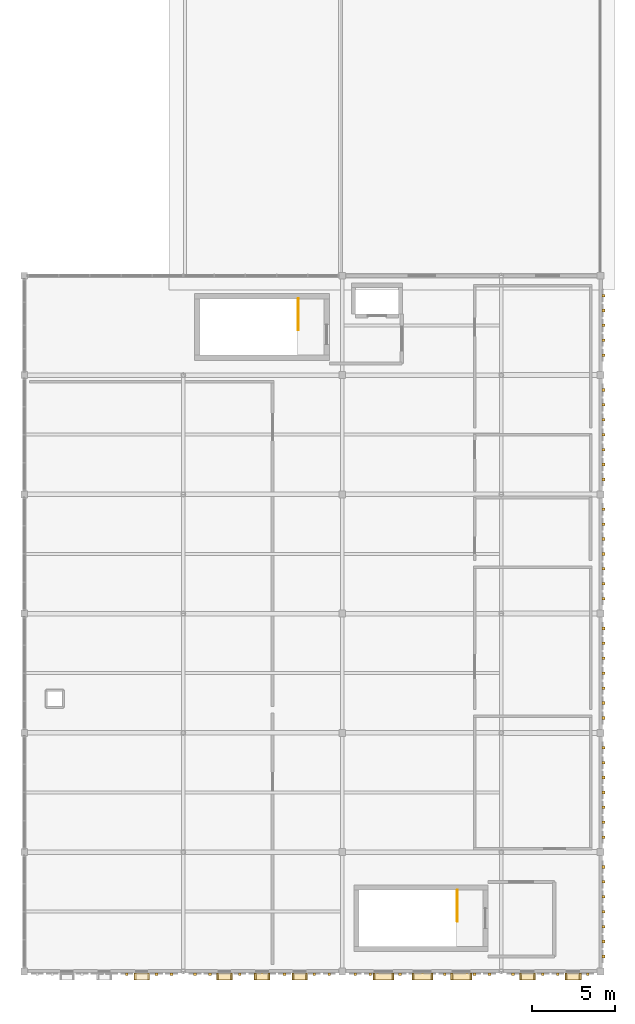
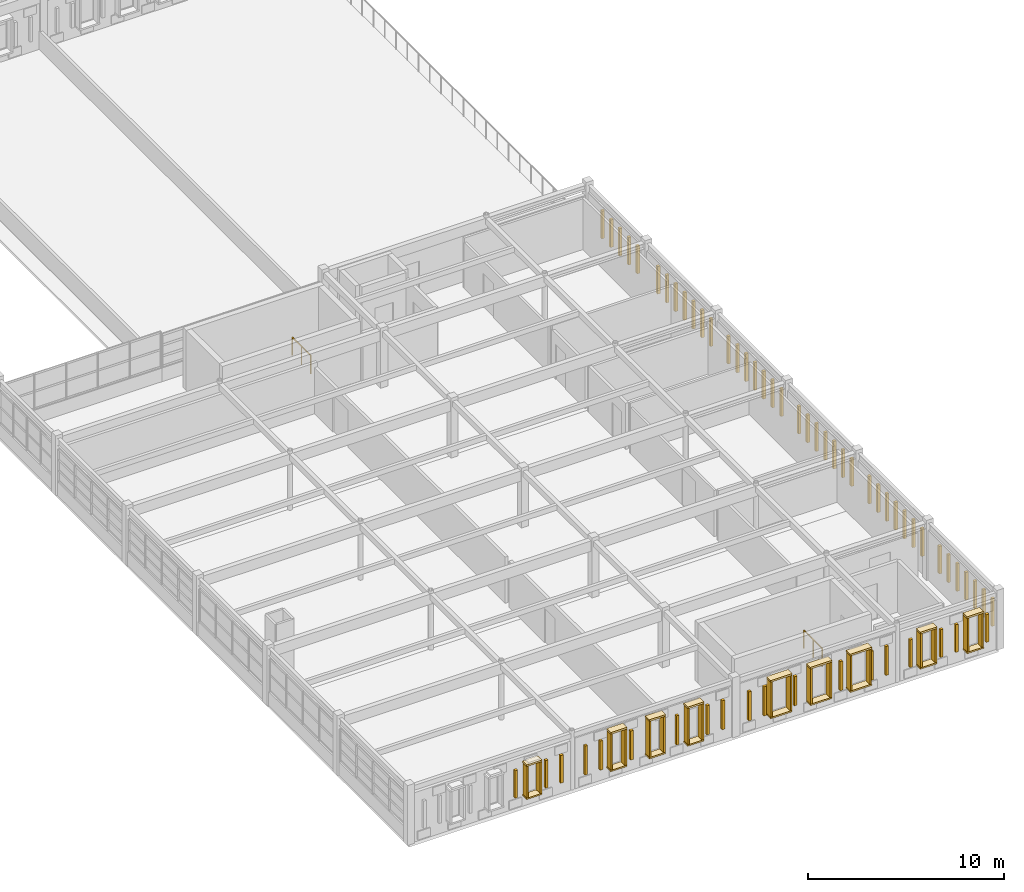
# One storey, part 21 of 25: 95 coverings, 2 railings.
"""IFC4 building model written with IfcOpenShell, lengths in metres."""

from ifc_helpers import new_model, si_unit, direction, frame, origin, origin_2d, place, context, subcontext, project, spatial, rectangle, circle, extrude, material, layer, layer_set, type_object, element, save


model = new_model("IFC4")

# Units and contexts
model_context = context("Model", 3, precision=1e-05, world=origin(), true_north=direction((0.0, 1.0)))
body_context = subcontext(model_context, "Body", "Model", "MODEL_VIEW")
ifc_project = project(units=[si_unit("LENGTHUNIT", "METRE"), si_unit("AREAUNIT", "SQUARE_METRE"), si_unit("VOLUMEUNIT", "CUBIC_METRE"), si_unit("PLANEANGLEUNIT", "RADIAN"), si_unit("MASSUNIT", "GRAM", prefix="KILO")], contexts=[model_context])

# Site, building, storey
site_placement = place(None, origin())
site = spatial("IfcSite", under=ifc_project, at=site_placement, CompositionType="ELEMENT")
building_placement = place(site_placement, origin())
building = spatial("IfcBuilding", under=site, at=building_placement, Name="Nzembalo Square Collegiate School", CompositionType="ELEMENT")
storey_placement = place(building_placement, frame((0.0, 0.0, 21.080078125)))
storey = spatial("IfcBuildingStorey", under=building, at=storey_placement, Name="L05", CompositionType="ELEMENT", Elevation=21.080078125)

# Coverings
ifc_material_1 = material(Name="Glazed ochre ceramic lancet rib")
ifc_layer_1 = layer(ifc_material_1, 0.159912109375, Name="Glazed ochre ceramic lancet rib")
ifc_layer_set_1 = layer_set([ifc_layer_1], Name="Glazed ochre ceramic lancet rib")
covering_type_1 = type_object("IfcCoveringType", Name="CL02", PredefinedType="CLADDING", material=ifc_layer_set_1)
for number, where, z_axis, x_axis, name in (
    (1, (165.777587890625, 9.300048828125, 0.759765625), (0.0, 0.0, 1.0), (1.0, 0.0, 0.0), "Gothic ceramic rib CL02-Y0285-0"),
    (2, (165.777587890625, 10.199951171875, 0.759765625), (0.0, 0.0, 1.0), (1.0, 0.0, 0.0), "Gothic ceramic rib CL02-Y0285-1"),
    (3, (165.777587890625, 11.10009765625, 0.759765625), (0.0, 0.0, 1.0), (1.0, 0.0, 0.0), "Gothic ceramic rib CL02-Y0285-2"),
    (4, (165.777587890625, 12.0, 0.759765625), (0.0, 0.0, 1.0), (1.0, 0.0, 0.0), "Gothic ceramic rib CL02-Y0285-3"),
    (5, (165.777587890625, 12.89990234375, 0.759765625), (0.0, 0.0, 1.0), (1.0, 0.0, 0.0), "Gothic ceramic rib CL02-Y0285-4"),
    (6, (165.777587890625, 13.800048828125, 0.759765625), (0.0, 0.0, 1.0), (1.0, 0.0, 0.0), "Gothic ceramic rib CL02-Y0285-5"),
    (7, (165.777587890625, 14.699951171875, 0.759765625), (0.0, 0.0, 1.0), (1.0, 0.0, 0.0), "Gothic ceramic rib CL02-Y0285-6"),
    (8, (165.777587890625, 16.5, 0.759765625), (0.0, 0.0, 1.0), (1.0, 0.0, 0.0), "Gothic ceramic rib CL02-Y0286-0"),
    (9, (165.777587890625, 17.39990234375, 0.759765625), (0.0, 0.0, 1.0), (1.0, 0.0, 0.0), "Gothic ceramic rib CL02-Y0286-1"),
    (10, (165.777587890625, 18.300048828125, 0.759765625), (0.0, 0.0, 1.0), (1.0, 0.0, 0.0), "Gothic ceramic rib CL02-Y0286-2"),
    (11, (165.777587890625, 19.199951171875, 0.759765625), (0.0, 0.0, 1.0), (1.0, 0.0, 0.0), "Gothic ceramic rib CL02-Y0286-3"),
    (12, (165.777587890625, 20.10009765625, 0.759765625), (0.0, 0.0, 1.0), (1.0, 0.0, 0.0), "Gothic ceramic rib CL02-Y0286-4"),
    (13, (165.777587890625, 21.0, 0.759765625), (0.0, 0.0, 1.0), (1.0, 0.0, 0.0), "Gothic ceramic rib CL02-Y0286-5"),
    (14, (165.777587890625, 21.89990234375, 0.759765625), (0.0, 0.0, 1.0), (1.0, 0.0, 0.0), "Gothic ceramic rib CL02-Y0286-6"),
    (15, (165.777587890625, 23.699951171875, 0.759765625), (0.0, 0.0, 1.0), (1.0, 0.0, 0.0), "Gothic ceramic rib CL02-Y0287-0"),
    (16, (165.777587890625, 24.60009765625, 0.759765625), (0.0, 0.0, 1.0), (1.0, 0.0, 0.0), "Gothic ceramic rib CL02-Y0287-1"),
    (17, (165.777587890625, 25.5, 0.759765625), (0.0, 0.0, 1.0), (1.0, 0.0, 0.0), "Gothic ceramic rib CL02-Y0287-2"),
    (18, (165.777587890625, 26.39990234375, 0.759765625), (0.0, 0.0, 1.0), (1.0, 0.0, 0.0), "Gothic ceramic rib CL02-Y0287-3"),
    (19, (165.777587890625, 27.300048828125, 0.759765625), (0.0, 0.0, 1.0), (1.0, 0.0, 0.0), "Gothic ceramic rib CL02-Y0287-4"),
    (20, (165.777587890625, 28.199951171875, 0.759765625), (0.0, 0.0, 1.0), (1.0, 0.0, 0.0), "Gothic ceramic rib CL02-Y0287-5"),
    (21, (165.777587890625, 29.10009765625, 0.759765625), (0.0, 0.0, 1.0), (1.0, 0.0, 0.0), "Gothic ceramic rib CL02-Y0287-6"),
    (22, (165.777587890625, 30.89990234375, 0.759765625), (0.0, 0.0, 1.0), (1.0, 0.0, 0.0), "Gothic ceramic rib CL02-Y0288-0"),
    (23, (165.777587890625, 31.800048828125, 0.759765625), (0.0, 0.0, 1.0), (1.0, 0.0, 0.0), "Gothic ceramic rib CL02-Y0288-1"),
    (24, (165.777587890625, 32.699951171875, 0.759765625), (0.0, 0.0, 1.0), (1.0, 0.0, 0.0), "Gothic ceramic rib CL02-Y0288-2"),
    (25, (165.777587890625, 33.60009765625, 0.759765625), (0.0, 0.0, 1.0), (1.0, 0.0, 0.0), "Gothic ceramic rib CL02-Y0288-3"),
    (26, (165.777587890625, 34.5, 0.759765625), (0.0, 0.0, 1.0), (1.0, 0.0, 0.0), "Gothic ceramic rib CL02-Y0288-4"),
    (27, (165.777587890625, 35.39990234375, 0.759765625), (0.0, 0.0, 1.0), (1.0, 0.0, 0.0), "Gothic ceramic rib CL02-Y0288-5"),
    (28, (165.777587890625, 36.300048828125, 0.759765625), (0.0, 0.0, 1.0), (1.0, 0.0, 0.0), "Gothic ceramic rib CL02-Y0288-6"),
    (29, (165.777587890625, 38.10009765625, 0.759765625), (0.0, 0.0, 1.0), (1.0, 0.0, 0.0), "Gothic ceramic rib CL02-Y0289-0"),
    (30, (165.777587890625, 39.0, 0.759765625), (0.0, 0.0, 1.0), (1.0, 0.0, 0.0), "Gothic ceramic rib CL02-Y0289-1"),
    (31, (165.777587890625, 39.89990234375, 0.759765625), (0.0, 0.0, 1.0), (1.0, 0.0, 0.0), "Gothic ceramic rib CL02-Y0289-2"),
    (32, (165.777587890625, 40.800048828125, 0.759765625), (0.0, 0.0, 1.0), (1.0, 0.0, 0.0), "Gothic ceramic rib CL02-Y0289-3"),
    (33, (165.777587890625, 41.699951171875, 0.759765625), (0.0, 0.0, 1.0), (1.0, 0.0, 0.0), "Gothic ceramic rib CL02-Y0289-4"),
    (34, (165.777587890625, 42.60009765625, 0.759765625), (0.0, 0.0, 1.0), (1.0, 0.0, 0.0), "Gothic ceramic rib CL02-Y0289-5"),
    (35, (165.777587890625, 43.5, 0.759765625), (0.0, 0.0, 1.0), (1.0, 0.0, 0.0), "Gothic ceramic rib CL02-Y0289-6"),
    (36, (165.777587890625, 45.60009765625, 0.759765625), (0.0, 0.0, 1.0), (1.0, 0.0, 0.0), "Gothic ceramic rib CL02-Y0290-0"),
    (37, (165.777587890625, 46.5, 0.759765625), (0.0, 0.0, 1.0), (1.0, 0.0, 0.0), "Gothic ceramic rib CL02-Y0290-1"),
    (38, (165.777587890625, 47.39990234375, 0.759765625), (0.0, 0.0, 1.0), (1.0, 0.0, 0.0), "Gothic ceramic rib CL02-Y0290-2"),
    (39, (165.777587890625, 48.300048828125, 0.759765625), (0.0, 0.0, 1.0), (1.0, 0.0, 0.0), "Gothic ceramic rib CL02-Y0290-3"),
    (40, (165.777587890625, 49.199951171875, 0.759765625), (0.0, 0.0, 1.0), (1.0, 0.0, 0.0), "Gothic ceramic rib CL02-Y0290-4"),
    (41, (136.98681640625, 8.222412109375, 0.759765625), (0.0, 0.0, 1.0), (1.0, 0.0, 0.0), "Gothic ceramic rib CL02-X0291-6"),
    (42, (138.78662109375, 8.222412109375, 0.759765625), (0.0, 0.0, 1.0), (1.0, 0.0, 0.0), "Gothic ceramic rib CL02-X0291-8"),
    (43, (139.686767578125, 8.222412109375, 0.759765625), (0.0, 0.0, 1.0), (1.0, 0.0, 0.0), "Gothic ceramic rib CL02-X0291-9"),
):
    element("IfcCovering", number, at=place(storey_placement, frame(where, z_axis=z_axis, x_axis=x_axis)), inside=storey, type_object=covering_type_1, Name=name, PredefinedType="CLADDING", context=body_context, shape_type="SweptSolid", body=[
        extrude(rectangle(XDim=0.159912109375, YDim=0.159912109375, at=origin_2d()), origin(), (0.0, 0.0, 1.0), 1.72412109375),
    ])
for number, where, z_axis, x_axis, name in (
    (44, (141.11328125, 8.222412109375, 0.760009765625), (0.0, 0.0, 1.0), (1.0, 0.0, 0.0), "Gothic ceramic rib CL02-X0292-0"),
    (45, (142.01318359375, 8.222412109375, 0.760009765625), (0.0, 0.0, 1.0), (1.0, 0.0, 0.0), "Gothic ceramic rib CL02-X0292-1"),
    (46, (143.813232421875, 8.222412109375, 0.760009765625), (0.0, 0.0, 1.0), (1.0, 0.0, 0.0), "Gothic ceramic rib CL02-X0292-3"),
    (47, (146.51318359375, 8.222412109375, 0.760009765625), (0.0, 0.0, 1.0), (1.0, 0.0, 0.0), "Gothic ceramic rib CL02-X0292-6"),
    (48, (148.313232421875, 8.222412109375, 0.760009765625), (0.0, 0.0, 1.0), (1.0, 0.0, 0.0), "Gothic ceramic rib CL02-X0292-8"),
    (49, (149.213134765625, 8.222412109375, 0.760009765625), (0.0, 0.0, 1.0), (1.0, 0.0, 0.0), "Gothic ceramic rib CL02-X0292-9"),
    (50, (150.78662109375, 8.222412109375, 0.760009765625), (0.0, 0.0, 1.0), (1.0, 0.0, 0.0), "Gothic ceramic rib CL02-X0293-0"),
    (51, (151.686767578125, 8.222412109375, 0.760009765625), (0.0, 0.0, 1.0), (1.0, 0.0, 0.0), "Gothic ceramic rib CL02-X0293-1"),
    (52, (153.48681640625, 8.222412109375, 0.760009765625), (0.0, 0.0, 1.0), (1.0, 0.0, 0.0), "Gothic ceramic rib CL02-X0293-3"),
    (53, (156.186767578125, 8.222412109375, 0.760009765625), (0.0, 0.0, 1.0), (1.0, 0.0, 0.0), "Gothic ceramic rib CL02-X0293-6"),
    (54, (157.98681640625, 8.222412109375, 0.760009765625), (0.0, 0.0, 1.0), (1.0, 0.0, 0.0), "Gothic ceramic rib CL02-X0293-8"),
    (55, (158.88671875, 8.222412109375, 0.760009765625), (0.0, 0.0, 1.0), (1.0, 0.0, 0.0), "Gothic ceramic rib CL02-X0293-9"),
):
    element("IfcCovering", number, at=place(storey_placement, frame(where, z_axis=z_axis, x_axis=x_axis)), inside=storey, type_object=covering_type_1, Name=name, PredefinedType="CLADDING", context=body_context, shape_type="SweptSolid", body=[
        extrude(rectangle(XDim=0.159912109375, YDim=0.159912109375, at=origin_2d()), origin(), (0.0, 0.0, 1.0), 1.81396484375),
    ])
for number, where, z_axis, x_axis, name in (
    (56, (160.313232421875, 8.222412109375, 0.759765625), (0.0, 0.0, 1.0), (1.0, 0.0, 0.0), "Gothic ceramic rib CL02-X0294-0"),
    (57, (162.11328125, 8.222412109375, 0.759765625), (0.0, 0.0, 1.0), (1.0, 0.0, 0.0), "Gothic ceramic rib CL02-X0294-2"),
    (58, (163.01318359375, 8.222412109375, 0.759765625), (0.0, 0.0, 1.0), (1.0, 0.0, 0.0), "Gothic ceramic rib CL02-X0294-3"),
    (59, (164.813232421875, 8.222412109375, 0.759765625), (0.0, 0.0, 1.0), (1.0, 0.0, 0.0), "Gothic ceramic rib CL02-X0294-5"),
):
    element("IfcCovering", number, at=place(storey_placement, frame(where, z_axis=z_axis, x_axis=x_axis)), inside=storey, type_object=covering_type_1, Name=name, PredefinedType="CLADDING", context=body_context, shape_type="SweptSolid", body=[
        extrude(rectangle(XDim=0.159912109375, YDim=0.159912109375, at=origin_2d()), origin(), (0.0, 0.0, 1.0), 1.72412109375),
    ])
ifc_material_2 = material(Name="Glazed celadon ceramic window frame")
ifc_layer_2 = layer(ifc_material_2, 0.419921875, Name="Glazed celadon ceramic window frame")
ifc_layer_set_2 = layer_set([ifc_layer_2], Name="Glazed celadon ceramic window frame")
covering_type_2 = type_object("IfcCoveringType", Name="WF01", PredefinedType="CLADDING", material=ifc_layer_set_2)
covering_1_placement = place(storey_placement, frame((137.899169921875, 8.08740234375, 2.71484375), z_axis=(0.0, 0.0, 1.0), x_axis=(1.0, 0.0, 0.0)))
element("IfcCovering", 60, at=covering_1_placement, inside=storey, type_object=covering_type_2, Name="Deep lancet window hood WF01-1097", PredefinedType="CLADDING", context=body_context, shape_type="SweptSolid", body=[
    extrude(rectangle(XDim=0.919921875, YDim=0.419921875, at=origin_2d()), origin(), (0.0, 0.0, 1.0), 0.110107421875),
])
covering_2_placement = place(storey_placement, frame((137.899169921875, 8.08740234375, 0.65478515625), z_axis=(0.0, 0.0, 1.0), x_axis=(1.0, 0.0, 0.0)))
element("IfcCovering", 61, at=covering_2_placement, inside=storey, type_object=covering_type_2, Name="Deep lancet window sill WF01-1097", PredefinedType="CLADDING", context=body_context, shape_type="SweptSolid", body=[
    extrude(rectangle(XDim=0.919921875, YDim=0.419921875, at=origin_2d()), origin(), (0.0, 0.0, 1.0), 0.090087890625),
])
for number, where, z_axis, x_axis, name in (
    (62, (137.504150390625, 8.08740234375, 0.75), (0.0, 0.0, 1.0), (1.0, 0.0, 0.0), "Deep lancet window jamb WF01-1097L"),
    (63, (138.294189453125, 8.08740234375, 0.75), (0.0, 0.0, 1.0), (1.0, 0.0, 0.0), "Deep lancet window jamb WF01-1097R"),
):
    element("IfcCovering", number, at=place(storey_placement, frame(where, z_axis=z_axis, x_axis=x_axis)), inside=storey, type_object=covering_type_2, Name=name, PredefinedType="CLADDING", context=body_context, shape_type="SweptSolid", body=[
        extrude(rectangle(XDim=0.10009765625, YDim=0.419921875, at=origin_2d()), origin(), (0.0, 0.0, 1.0), 1.9599609375),
    ])
covering_3_placement = place(storey_placement, frame((142.890869140625, 8.08740234375, 2.99462890625), z_axis=(0.0, 0.0, 1.0), x_axis=(1.0, 0.0, 0.0)))
element("IfcCovering", 64, at=covering_3_placement, inside=storey, type_object=covering_type_2, Name="Deep lancet window hood WF01-1102", PredefinedType="CLADDING", context=body_context, shape_type="SweptSolid", body=[
    extrude(rectangle(XDim=0.9599609375, YDim=0.419921875, at=origin_2d()), origin(), (0.0, 0.0, 1.0), 0.110107421875),
])
covering_4_placement = place(storey_placement, frame((142.890869140625, 8.08740234375, 0.65478515625), z_axis=(0.0, 0.0, 1.0), x_axis=(1.0, 0.0, 0.0)))
element("IfcCovering", 65, at=covering_4_placement, inside=storey, type_object=covering_type_2, Name="Deep lancet window sill WF01-1102", PredefinedType="CLADDING", context=body_context, shape_type="SweptSolid", body=[
    extrude(rectangle(XDim=0.9599609375, YDim=0.419921875, at=origin_2d()), origin(), (0.0, 0.0, 1.0), 0.090087890625),
])
for number, where, z_axis, x_axis, name in (
    (66, (142.475830078125, 8.08740234375, 0.75), (0.0, 0.0, 1.0), (1.0, 0.0, 0.0), "Deep lancet window jamb WF01-1102L"),
    (67, (143.305908203125, 8.08740234375, 0.75), (0.0, 0.0, 1.0), (1.0, 0.0, 0.0), "Deep lancet window jamb WF01-1102R"),
):
    element("IfcCovering", number, at=place(storey_placement, frame(where, z_axis=z_axis, x_axis=x_axis)), inside=storey, type_object=covering_type_2, Name=name, PredefinedType="CLADDING", context=body_context, shape_type="SweptSolid", body=[
        extrude(rectangle(XDim=0.10009765625, YDim=0.419921875, at=origin_2d()), origin(), (0.0, 0.0, 1.0), 2.239990234375),
    ])
covering_5_placement = place(storey_placement, frame((145.1630859375, 8.08740234375, 2.99462890625), z_axis=(0.0, 0.0, 1.0), x_axis=(1.0, 0.0, 0.0)))
element("IfcCovering", 68, at=covering_5_placement, inside=storey, type_object=covering_type_2, Name="Deep lancet window hood WF01-1103", PredefinedType="CLADDING", context=body_context, shape_type="SweptSolid", body=[
    extrude(rectangle(XDim=0.9599609375, YDim=0.419921875, at=origin_2d()), origin(), (0.0, 0.0, 1.0), 0.110107421875),
])
covering_6_placement = place(storey_placement, frame((145.1630859375, 8.08740234375, 0.65478515625), z_axis=(0.0, 0.0, 1.0), x_axis=(1.0, 0.0, 0.0)))
element("IfcCovering", 69, at=covering_6_placement, inside=storey, type_object=covering_type_2, Name="Deep lancet window sill WF01-1103", PredefinedType="CLADDING", context=body_context, shape_type="SweptSolid", body=[
    extrude(rectangle(XDim=0.9599609375, YDim=0.419921875, at=origin_2d()), origin(), (0.0, 0.0, 1.0), 0.090087890625),
])
for number, where, z_axis, x_axis, name in (
    (70, (144.748291015625, 8.08740234375, 0.75), (0.0, 0.0, 1.0), (1.0, 0.0, 0.0), "Deep lancet window jamb WF01-1103L"),
    (71, (145.578125, 8.08740234375, 0.75), (0.0, 0.0, 1.0), (1.0, 0.0, 0.0), "Deep lancet window jamb WF01-1103R"),
):
    element("IfcCovering", number, at=place(storey_placement, frame(where, z_axis=z_axis, x_axis=x_axis)), inside=storey, type_object=covering_type_2, Name=name, PredefinedType="CLADDING", context=body_context, shape_type="SweptSolid", body=[
        extrude(rectangle(XDim=0.10009765625, YDim=0.419921875, at=origin_2d()), origin(), (0.0, 0.0, 1.0), 2.239990234375),
    ])
covering_7_placement = place(storey_placement, frame((147.435546875, 8.08740234375, 2.99462890625), z_axis=(0.0, 0.0, 1.0), x_axis=(1.0, 0.0, 0.0)))
element("IfcCovering", 72, at=covering_7_placement, inside=storey, type_object=covering_type_2, Name="Deep lancet window hood WF01-1104", PredefinedType="CLADDING", context=body_context, shape_type="SweptSolid", body=[
    extrude(rectangle(XDim=0.9599609375, YDim=0.419921875, at=origin_2d()), origin(), (0.0, 0.0, 1.0), 0.110107421875),
])
covering_8_placement = place(storey_placement, frame((147.435546875, 8.08740234375, 0.65478515625), z_axis=(0.0, 0.0, 1.0), x_axis=(1.0, 0.0, 0.0)))
element("IfcCovering", 73, at=covering_8_placement, inside=storey, type_object=covering_type_2, Name="Deep lancet window sill WF01-1104", PredefinedType="CLADDING", context=body_context, shape_type="SweptSolid", body=[
    extrude(rectangle(XDim=0.9599609375, YDim=0.419921875, at=origin_2d()), origin(), (0.0, 0.0, 1.0), 0.090087890625),
])
for number, where, z_axis, x_axis, name in (
    (74, (147.0205078125, 8.08740234375, 0.75), (0.0, 0.0, 1.0), (1.0, 0.0, 0.0), "Deep lancet window jamb WF01-1104L"),
    (75, (147.8505859375, 8.08740234375, 0.75), (0.0, 0.0, 1.0), (1.0, 0.0, 0.0), "Deep lancet window jamb WF01-1104R"),
):
    element("IfcCovering", number, at=place(storey_placement, frame(where, z_axis=z_axis, x_axis=x_axis)), inside=storey, type_object=covering_type_2, Name=name, PredefinedType="CLADDING", context=body_context, shape_type="SweptSolid", body=[
        extrude(rectangle(XDim=0.10009765625, YDim=0.419921875, at=origin_2d()), origin(), (0.0, 0.0, 1.0), 2.239990234375),
    ])
covering_9_placement = place(storey_placement, frame((152.484375, 8.08740234375, 2.93505859375), z_axis=(0.0, 0.0, 1.0), x_axis=(1.0, 0.0, 0.0)))
element("IfcCovering", 76, at=covering_9_placement, inside=storey, type_object=covering_type_2, Name="Deep lancet window hood WF01-1105", PredefinedType="CLADDING", context=body_context, shape_type="SweptSolid", body=[
    extrude(rectangle(XDim=1.280029296875, YDim=0.419921875, at=origin_2d()), origin(), (0.0, 0.0, 1.0), 0.110107421875),
])
covering_10_placement = place(storey_placement, frame((152.484375, 8.08740234375, 0.65478515625), z_axis=(0.0, 0.0, 1.0), x_axis=(1.0, 0.0, 0.0)))
element("IfcCovering", 77, at=covering_10_placement, inside=storey, type_object=covering_type_2, Name="Deep lancet window sill WF01-1105", PredefinedType="CLADDING", context=body_context, shape_type="SweptSolid", body=[
    extrude(rectangle(XDim=1.280029296875, YDim=0.419921875, at=origin_2d()), origin(), (0.0, 0.0, 1.0), 0.090087890625),
])
for number, where, z_axis, x_axis, name in (
    (78, (151.909423828125, 8.08740234375, 0.75), (0.0, 0.0, 1.0), (1.0, 0.0, 0.0), "Deep lancet window jamb WF01-1105L"),
    (79, (153.059326171875, 8.08740234375, 0.75), (0.0, 0.0, 1.0), (1.0, 0.0, 0.0), "Deep lancet window jamb WF01-1105R"),
):
    element("IfcCovering", number, at=place(storey_placement, frame(where, z_axis=z_axis, x_axis=x_axis)), inside=storey, type_object=covering_type_2, Name=name, PredefinedType="CLADDING", context=body_context, shape_type="SweptSolid", body=[
        extrude(rectangle(XDim=0.10009765625, YDim=0.419921875, at=origin_2d()), origin(), (0.0, 0.0, 1.0), 2.179931640625),
    ])
covering_11_placement = place(storey_placement, frame((154.836669921875, 8.08740234375, 2.93505859375), z_axis=(0.0, 0.0, 1.0), x_axis=(1.0, 0.0, 0.0)))
element("IfcCovering", 80, at=covering_11_placement, inside=storey, type_object=covering_type_2, Name="Deep lancet window hood WF01-1106", PredefinedType="CLADDING", context=body_context, shape_type="SweptSolid", body=[
    extrude(rectangle(XDim=1.280029296875, YDim=0.419921875, at=origin_2d()), origin(), (0.0, 0.0, 1.0), 0.110107421875),
])
covering_12_placement = place(storey_placement, frame((154.836669921875, 8.08740234375, 0.65478515625), z_axis=(0.0, 0.0, 1.0), x_axis=(1.0, 0.0, 0.0)))
element("IfcCovering", 81, at=covering_12_placement, inside=storey, type_object=covering_type_2, Name="Deep lancet window sill WF01-1106", PredefinedType="CLADDING", context=body_context, shape_type="SweptSolid", body=[
    extrude(rectangle(XDim=1.280029296875, YDim=0.419921875, at=origin_2d()), origin(), (0.0, 0.0, 1.0), 0.090087890625),
])
for number, where, z_axis, x_axis, name in (
    (82, (154.26171875, 8.08740234375, 0.75), (0.0, 0.0, 1.0), (1.0, 0.0, 0.0), "Deep lancet window jamb WF01-1106L"),
    (83, (155.41162109375, 8.08740234375, 0.75), (0.0, 0.0, 1.0), (1.0, 0.0, 0.0), "Deep lancet window jamb WF01-1106R"),
):
    element("IfcCovering", number, at=place(storey_placement, frame(where, z_axis=z_axis, x_axis=x_axis)), inside=storey, type_object=covering_type_2, Name=name, PredefinedType="CLADDING", context=body_context, shape_type="SweptSolid", body=[
        extrude(rectangle(XDim=0.10009765625, YDim=0.419921875, at=origin_2d()), origin(), (0.0, 0.0, 1.0), 2.179931640625),
    ])
covering_13_placement = place(storey_placement, frame((157.189208984375, 8.08740234375, 2.93505859375), z_axis=(0.0, 0.0, 1.0), x_axis=(1.0, 0.0, 0.0)))
element("IfcCovering", 84, at=covering_13_placement, inside=storey, type_object=covering_type_2, Name="Deep lancet window hood WF01-1107", PredefinedType="CLADDING", context=body_context, shape_type="SweptSolid", body=[
    extrude(rectangle(XDim=1.280029296875, YDim=0.419921875, at=origin_2d()), origin(), (0.0, 0.0, 1.0), 0.110107421875),
])
covering_14_placement = place(storey_placement, frame((157.189208984375, 8.08740234375, 0.65478515625), z_axis=(0.0, 0.0, 1.0), x_axis=(1.0, 0.0, 0.0)))
element("IfcCovering", 85, at=covering_14_placement, inside=storey, type_object=covering_type_2, Name="Deep lancet window sill WF01-1107", PredefinedType="CLADDING", context=body_context, shape_type="SweptSolid", body=[
    extrude(rectangle(XDim=1.280029296875, YDim=0.419921875, at=origin_2d()), origin(), (0.0, 0.0, 1.0), 0.090087890625),
])
for number, where, z_axis, x_axis, name in (
    (86, (156.614013671875, 8.08740234375, 0.75), (0.0, 0.0, 1.0), (1.0, 0.0, 0.0), "Deep lancet window jamb WF01-1107L"),
    (87, (157.76416015625, 8.08740234375, 0.75), (0.0, 0.0, 1.0), (1.0, 0.0, 0.0), "Deep lancet window jamb WF01-1107R"),
):
    element("IfcCovering", number, at=place(storey_placement, frame(where, z_axis=z_axis, x_axis=x_axis)), inside=storey, type_object=covering_type_2, Name=name, PredefinedType="CLADDING", context=body_context, shape_type="SweptSolid", body=[
        extrude(rectangle(XDim=0.10009765625, YDim=0.419921875, at=origin_2d()), origin(), (0.0, 0.0, 1.0), 2.179931640625),
    ])
covering_15_placement = place(storey_placement, frame((161.183349609375, 8.08740234375, 2.85498046875), z_axis=(0.0, 0.0, 1.0), x_axis=(1.0, 0.0, 0.0)))
element("IfcCovering", 88, at=covering_15_placement, inside=storey, type_object=covering_type_2, Name="Deep lancet window hood WF01-1111", PredefinedType="CLADDING", context=body_context, shape_type="SweptSolid", body=[
    extrude(rectangle(XDim=0.989990234375, YDim=0.419921875, at=origin_2d()), origin(), (0.0, 0.0, 1.0), 0.110107421875),
])
covering_16_placement = place(storey_placement, frame((161.183349609375, 8.08740234375, 0.65478515625), z_axis=(0.0, 0.0, 1.0), x_axis=(1.0, 0.0, 0.0)))
element("IfcCovering", 89, at=covering_16_placement, inside=storey, type_object=covering_type_2, Name="Deep lancet window sill WF01-1111", PredefinedType="CLADDING", context=body_context, shape_type="SweptSolid", body=[
    extrude(rectangle(XDim=0.989990234375, YDim=0.419921875, at=origin_2d()), origin(), (0.0, 0.0, 1.0), 0.090087890625),
])
for number, where, z_axis, x_axis, name in (
    (90, (160.75341796875, 8.08740234375, 0.749755859375), (0.0, 0.0, 1.0), (1.0, 0.0, 0.0), "Deep lancet window jamb WF01-1111L"),
    (91, (161.61328125, 8.08740234375, 0.749755859375), (0.0, 0.0, 1.0), (1.0, 0.0, 0.0), "Deep lancet window jamb WF01-1111R"),
):
    element("IfcCovering", number, at=place(storey_placement, frame(where, z_axis=z_axis, x_axis=x_axis)), inside=storey, type_object=covering_type_2, Name=name, PredefinedType="CLADDING", context=body_context, shape_type="SweptSolid", body=[
        extrude(rectangle(XDim=0.10009765625, YDim=0.419921875, at=origin_2d()), origin(), (0.0, 0.0, 1.0), 2.10009765625),
    ])
covering_17_placement = place(storey_placement, frame((163.943115234375, 8.08740234375, 2.85498046875), z_axis=(0.0, 0.0, 1.0), x_axis=(1.0, 0.0, 0.0)))
element("IfcCovering", 92, at=covering_17_placement, inside=storey, type_object=covering_type_2, Name="Deep lancet window hood WF01-1112", PredefinedType="CLADDING", context=body_context, shape_type="SweptSolid", body=[
    extrude(rectangle(XDim=0.989990234375, YDim=0.419921875, at=origin_2d()), origin(), (0.0, 0.0, 1.0), 0.110107421875),
])
covering_18_placement = place(storey_placement, frame((163.943115234375, 8.08740234375, 0.65478515625), z_axis=(0.0, 0.0, 1.0), x_axis=(1.0, 0.0, 0.0)))
element("IfcCovering", 93, at=covering_18_placement, inside=storey, type_object=covering_type_2, Name="Deep lancet window sill WF01-1112", PredefinedType="CLADDING", context=body_context, shape_type="SweptSolid", body=[
    extrude(rectangle(XDim=0.989990234375, YDim=0.419921875, at=origin_2d()), origin(), (0.0, 0.0, 1.0), 0.090087890625),
])
for number, where, z_axis, x_axis, name in (
    (94, (163.51318359375, 8.08740234375, 0.749755859375), (0.0, 0.0, 1.0), (1.0, 0.0, 0.0), "Deep lancet window jamb WF01-1112L"),
    (95, (164.373046875, 8.08740234375, 0.749755859375), (0.0, 0.0, 1.0), (1.0, 0.0, 0.0), "Deep lancet window jamb WF01-1112R"),
):
    element("IfcCovering", number, at=place(storey_placement, frame(where, z_axis=z_axis, x_axis=x_axis)), inside=storey, type_object=covering_type_2, Name=name, PredefinedType="CLADDING", context=body_context, shape_type="SweptSolid", body=[
        extrude(rectangle(XDim=0.10009765625, YDim=0.419921875, at=origin_2d()), origin(), (0.0, 0.0, 1.0), 2.10009765625),
    ])

# Railings
ifc_material_3 = material(Name="Steel S355", Category="steel")
railing_type = type_object("IfcRailingType", Name="GR01", PredefinedType="GUARDRAIL", material=ifc_material_3)
railing_1_placement = place(storey_placement, frame((147.35009765625, 47.1201171875, -0.005126953125)))
element("IfcRailing", 96, at=railing_1_placement, inside=storey, type_object=railing_type, Name="Top stairwell guard GR-C5-T1", PredefinedType="GUARDRAIL", context=body_context, shape_type="SweptSolid", body=[
    extrude(circle(Radius=0.02392578125, at=origin_2d()), frame((0.0, 0.0, 1.1259765625), z_axis=(0.0, 1.0, 0.0), x_axis=(-1.0, 0.0, 0.0)), (0.0, 0.0, 1.0), 1.889892578125),
    extrude(circle(Radius=0.02099609375, at=origin_2d()), origin(), (0.0, 0.0, 1.0), 1.101806640625),
    extrude(circle(Radius=0.02099609375, at=origin_2d()), frame((0.0, 0.94482421875, 0.0)), (0.0, 0.0, 1.0), 1.101806640625),
    extrude(circle(Radius=0.02099609375, at=origin_2d()), frame((0.0, 1.889892578125, 0.0)), (0.0, 0.0, 1.0), 1.101806640625),
])
railing_2_placement = place(storey_placement, frame((156.949951171875, 11.419921875, -0.005126953125)))
element("IfcRailing", 97, at=railing_2_placement, inside=storey, type_object=railing_type, Name="Top stairwell guard GR-C6-T1", PredefinedType="GUARDRAIL", context=body_context, shape_type="SweptSolid", body=[
    extrude(circle(Radius=0.02392578125, at=origin_2d()), frame((0.0, 0.0, 1.1259765625), z_axis=(0.0, 1.0, 0.0), x_axis=(-1.0, 0.0, 0.0)), (0.0, 0.0, 1.0), 1.89013671875),
    extrude(circle(Radius=0.02099609375, at=origin_2d()), origin(), (0.0, 0.0, 1.0), 1.101806640625),
    extrude(circle(Radius=0.02099609375, at=origin_2d()), frame((0.0, 0.945068359375, 0.0)), (0.0, 0.0, 1.0), 1.101806640625),
    extrude(circle(Radius=0.02099609375, at=origin_2d()), frame((0.0, 1.89013671875, 0.0)), (0.0, 0.0, 1.0), 1.101806640625),
])

save(model, "model.ifc")
